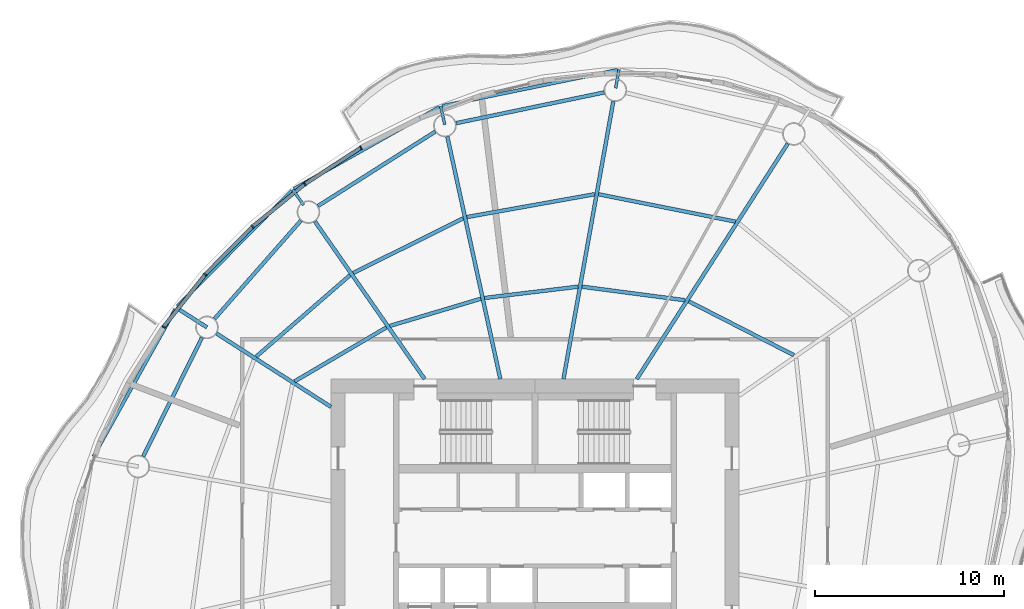
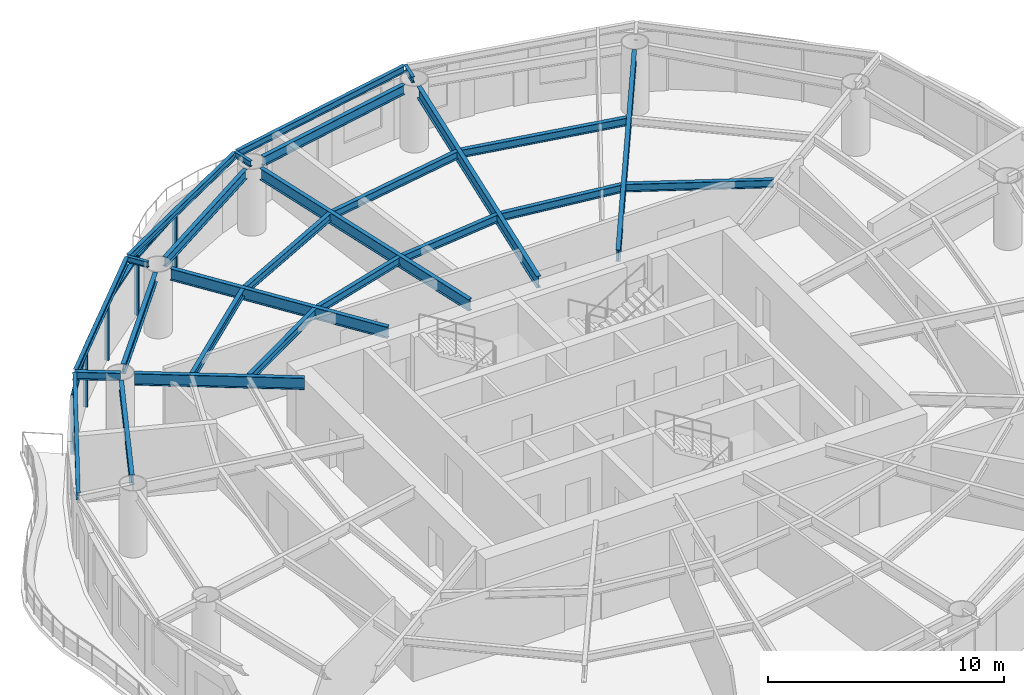
# One storey, part 5 of 14: 26 beams, 9 members, 4 elements without a shape of their own.
"""IFC4 building model written with IfcOpenShell, lengths in metres."""

from ifc_helpers import new_model, si_unit, direction, frame, origin, origin_2d, place, context, subcontext, project, spatial, rectangle, i_section, extrude, material, material_profile, profile_set, type_object, element, aggregate, save


model = new_model("IFC4")

# Units and contexts
model_context = context("Model", 3, precision=1e-05, world=origin(), true_north=direction((0.0, 1.0)))
body_context = subcontext(model_context, "Body", "Model", "MODEL_VIEW")
ifc_project = project(units=[si_unit("LENGTHUNIT", "METRE"), si_unit("AREAUNIT", "SQUARE_METRE"), si_unit("VOLUMEUNIT", "CUBIC_METRE"), si_unit("PLANEANGLEUNIT", "RADIAN"), si_unit("MASSUNIT", "GRAM", prefix="KILO")], contexts=[model_context])

# Site, building, storey
site_placement = place(None, origin())
site = spatial("IfcSite", under=ifc_project, at=site_placement, CompositionType="ELEMENT")
building_placement = place(site_placement, origin())
building = spatial("IfcBuilding", under=site, at=building_placement, Name="Vermilion Reach Broadcast Tower", CompositionType="ELEMENT")
storey_placement = place(building_placement, frame((0.0, 0.0, 202.89990234375)))
storey = spatial("IfcBuildingStorey", under=building, at=storey_placement, Name="L49", CompositionType="ELEMENT", Elevation=202.89990234375)

# Beams
ifc_material_1 = material(Name="Steel S355J2", Category="steel")
ifc_material_profile_1 = material_profile(ifc_material_1, i_section(OverallWidth=0.175048828125, OverallDepth=0.35009765625, WebThickness=0.007080078125, FlangeThickness=0.010986328125, at=origin_2d()), Name="S355J2 HN 350x175x7x11")
ifc_profile_set_1 = profile_set([ifc_material_profile_1], Name="Steel S355J2")
beam_type_1 = type_object("IfcBeamType", Name="EB4 HN 350x175x7x11", PredefinedType="BEAM", material=ifc_profile_set_1)
beam_1_placement = place(storey_placement, frame((-1.634521484375, 24.760498046875, 3.275146484375), z_axis=(-0.979502208701, -0.201433421134, 0.0), x_axis=(0.201433421134, -0.979502208701, 0.0)))
element("IfcBeam", 1, at=beam_1_placement, inside=storey, type_object=beam_type_1, Name="Edge beam EB4-02", PredefinedType="BEAM", context=body_context, shape_type="SweptSolid", body=[
    extrude(i_section(OverallWidth=0.175048828125, OverallDepth=0.35009765625, WebThickness=0.007080078125, FlangeThickness=0.010986328125, at=origin_2d()), origin(), (0.0, 0.0, 1.0), 9.47802734375),
])
beam_2_placement = place(storey_placement, frame((-11.06005859375, 22.7978515625, 3.275146484375), z_axis=(-0.871407912893, -0.490559119115, 0.0), x_axis=(0.490559119115, -0.871407912893, 0.0)))
element("IfcBeam", 2, at=beam_2_placement, inside=storey, type_object=beam_type_1, Name="Edge beam EB4-03", PredefinedType="BEAM", context=body_context, shape_type="SweptSolid", body=[
    extrude(i_section(OverallWidth=0.175048828125, OverallDepth=0.35009765625, WebThickness=0.007080078125, FlangeThickness=0.010986328125, at=origin_2d()), origin(), (0.0, 0.0, 1.0), 8.832275390625),
])
beam_3_placement = place(storey_placement, frame((-18.875732421875, 18.373779296875, 3.275146484375), z_axis=(-0.702580479624, -0.711604292884, 0.0), x_axis=(0.711604292884, -0.702580479624, 0.0)))
element("IfcBeam", 3, at=beam_3_placement, inside=storey, type_object=beam_type_1, Name="Edge beam EB4-04", PredefinedType="BEAM", context=body_context, shape_type="SweptSolid", body=[
    extrude(i_section(OverallWidth=0.175048828125, OverallDepth=0.35009765625, WebThickness=0.007080078125, FlangeThickness=0.010986328125, at=origin_2d()), origin(), (0.0, 0.0, 1.0), 8.603515625),
])
beam_4_placement = place(storey_placement, frame((-25.040771484375, 12.091064453125, 3.275146484375), z_axis=(-0.485691735512, -0.87413016082, 0.0), x_axis=(0.87413016082, -0.485691735512, 0.0)))
element("IfcBeam", 4, at=beam_4_placement, inside=storey, type_object=beam_type_1, Name="Edge beam EB4-05", PredefinedType="BEAM", context=body_context, shape_type="SweptSolid", body=[
    extrude(i_section(OverallWidth=0.175048828125, OverallDepth=0.35009765625, WebThickness=0.007080078125, FlangeThickness=0.010986328125, at=origin_2d()), origin(), (0.0, 0.0, 1.0), 8.919189453125),
])
ifc_material_2 = material(Name="Steel S355J2", Category="steel")
ifc_material_profile_2 = material_profile(ifc_material_2, i_section(OverallWidth=0.199951171875, OverallDepth=0.60009765625, WebThickness=0.010986328125, FlangeThickness=0.01708984375, at=origin_2d()), Name="S355J2 HN 600x200x11x17")
ifc_profile_set_2 = profile_set([ifc_material_profile_2], Name="Steel S355J2")
beam_type_2 = type_object("IfcBeamType", Name="G4 HN 600x200x11x17", PredefinedType="BEAM", material=ifc_profile_set_2)
beam_5_placement = place(storey_placement, frame((-0.613525390625, 8.39990234375, 3.150146484375), z_axis=(0.539796447586, 0.84179557802, 0.0), x_axis=(-0.84179557802, 0.539796447586, 0.0)))
element("IfcBeam", 5, at=beam_5_placement, inside=storey, type_object=beam_type_2, Name="Girder G4-01", PredefinedType="BEAM", context=body_context, shape_type="SweptSolid", body=[
    extrude(i_section(OverallWidth=0.199951171875, OverallDepth=0.60009765625, WebThickness=0.010986328125, FlangeThickness=0.01708984375, at=origin_2d()), origin(), (0.0, 0.0, 1.0), 14.8076171875),
])
beam_6_placement = place(storey_placement, frame((-4.4931640625, 8.39990234375, 3.150146484375), z_axis=(0.176574729047, 0.984287237072, 0.0), x_axis=(-0.984287237072, 0.176574729047, 0.0)))
element("IfcBeam", 6, at=beam_6_placement, inside=storey, type_object=beam_type_2, Name="Girder G4-02", PredefinedType="BEAM", context=body_context, shape_type="SweptSolid", body=[
    extrude(i_section(OverallWidth=0.199951171875, OverallDepth=0.60009765625, WebThickness=0.010986328125, FlangeThickness=0.01708984375, at=origin_2d()), origin(), (0.0, 0.0, 1.0), 14.935302734375),
])
beam_7_placement = place(storey_placement, frame((-7.836181640625, 8.39990234375, 3.150146484375), z_axis=(-0.213538346548, 0.976934682849, 0.0), x_axis=(-0.976934682849, -0.213538346548, 0.0)))
element("IfcBeam", 7, at=beam_7_placement, inside=storey, type_object=beam_type_2, Name="Girder G4-03", PredefinedType="BEAM", context=body_context, shape_type="SweptSolid", body=[
    extrude(i_section(OverallWidth=0.199951171875, OverallDepth=0.60009765625, WebThickness=0.010986328125, FlangeThickness=0.01708984375, at=origin_2d()), origin(), (0.0, 0.0, 1.0), 13.135498046875),
])
beam_8_placement = place(storey_placement, frame((-11.8447265625, 8.39990234375, 3.150146484375), z_axis=(-0.571134149017, 0.8208567377, 0.0), x_axis=(-0.8208567377, -0.571134149017, 0.0)))
element("IfcBeam", 8, at=beam_8_placement, inside=storey, type_object=beam_type_2, Name="Girder G4-04", PredefinedType="BEAM", context=body_context, shape_type="SweptSolid", body=[
    extrude(i_section(OverallWidth=0.199951171875, OverallDepth=0.60009765625, WebThickness=0.010986328125, FlangeThickness=0.01708984375, at=origin_2d()), origin(), (0.0, 0.0, 1.0), 10.16552734375),
])
beam_9_placement = place(storey_placement, frame((-16.800048828125, 6.925537109375, 3.150146484375), z_axis=(-0.841798504642, 0.539791883584, 0.0), x_axis=(-0.539791883584, -0.841798504642, 0.0)))
element("IfcBeam", 9, at=beam_9_placement, inside=storey, type_object=beam_type_2, Name="Girder G4-05", PredefinedType="BEAM", context=body_context, shape_type="SweptSolid", body=[
    extrude(i_section(OverallWidth=0.199951171875, OverallDepth=0.60009765625, WebThickness=0.010986328125, FlangeThickness=0.01708984375, at=origin_2d()), origin(), (0.0, 0.0, 1.0), 7.1962890625),
])
ifc_material_3 = material(Name="Steel S355J2", Category="steel")
ifc_material_profile_3 = material_profile(ifc_material_3, i_section(OverallWidth=0.199951171875, OverallDepth=0.39990234375, WebThickness=0.008056640625, FlangeThickness=0.012939453125, at=origin_2d()), Name="S355J2 HN 400x200x8x13")
ifc_profile_set_3 = profile_set([ifc_material_profile_3], Name="Steel S355J2")
beam_type_3 = type_object("IfcBeamType", Name="GC4 HN 400x200x8x13", PredefinedType="BEAM", material=ifc_profile_set_3)
beam_10_placement = place(storey_placement, frame((-23.36279296875, 11.134033203125, 3.25), z_axis=(-0.841833583484, 0.539737174667, 0.0), x_axis=(-0.539737174667, -0.841833583484, 0.0)))
element("IfcBeam", 10, at=beam_10_placement, inside=storey, type_object=beam_type_3, Name="Cantilever girder GC4-05", PredefinedType="BEAM", context=body_context, shape_type="SweptSolid", body=[
    extrude(i_section(OverallWidth=0.199951171875, OverallDepth=0.39990234375, WebThickness=0.008056640625, FlangeThickness=0.012939453125, at=origin_2d()), origin(), (0.0, 0.0, 1.0), 1.935546875),
])
ifc_material_4 = material(Name="Steel S355J2", Category="steel")
ifc_material_profile_4 = material_profile(ifc_material_4, i_section(OverallWidth=0.14990234375, OverallDepth=0.300048828125, WebThickness=0.006591796875, FlangeThickness=0.009033203125, at=origin_2d()), Name="S355J2 HN 300x150x6.5x9")
ifc_profile_set_4 = profile_set([ifc_material_profile_4], Name="Steel S355J2")
beam_type_4 = type_object("IfcBeamType", Name="GS4 HN 300x150x6.5x9", PredefinedType="BEAM", material=ifc_profile_set_4)
beam_11_placement = place(storey_placement, frame((-1.73193359375, 23.79248046875, 3.300048828125), z_axis=(0.176500327456, 0.984300581331, 0.0), x_axis=(-0.984300581331, 0.176500327456, 0.0)))
element("IfcBeam", 11, at=beam_11_placement, inside=storey, type_object=beam_type_4, Name="Cantilever stub GS4-02", PredefinedType="BEAM", context=body_context, shape_type="SweptSolid", body=[
    extrude(i_section(OverallWidth=0.14990234375, OverallDepth=0.300048828125, WebThickness=0.006591796875, FlangeThickness=0.009033203125, at=origin_2d()), origin(), (0.0, 0.0, 1.0), 1.0),
])
for number, where, z_axis, x_axis, name in (
    (12, (-10.778076171875, 21.859375, 3.300048828125), (-0.213594957215, 0.976922307173, 0.0), (-0.976922307173, -0.213594957215, 0.0), "Cantilever stub GS4-03"),
    (13, (-18.2509765625, 17.607177734375, 3.300048828125), (-0.571150302207, 0.820845498428, 0.0), (-0.820845498428, -0.571150302207, 0.0), "Cantilever stub GS4-04"),
):
    element("IfcBeam", number, at=place(storey_placement, frame(where, z_axis=z_axis, x_axis=x_axis)), inside=storey, type_object=beam_type_4, Name=name, PredefinedType="BEAM", context=body_context, shape_type="SweptSolid", body=[
        extrude(i_section(OverallWidth=0.14990234375, OverallDepth=0.300048828125, WebThickness=0.006591796875, FlangeThickness=0.009033203125, at=origin_2d()), origin(), (0.0, 0.0, 1.0), 1.000244140625),
    ])
ifc_material_5 = material(Name="Steel S355J2", Category="steel")
ifc_material_profile_5 = material_profile(ifc_material_5, i_section(OverallWidth=0.199951171875, OverallDepth=0.5, WebThickness=0.010009765625, FlangeThickness=0.01611328125, at=origin_2d()), Name="S355J2 HN 500x200x10x16")
ifc_profile_set_5 = profile_set([ifc_material_profile_5], Name="Steel S355J2")
beam_type_5 = type_object("IfcBeamType", Name="RB4 HN 500x200x10x16", PredefinedType="BEAM", material=ifc_profile_set_5)
beam_12_placement = place(storey_placement, frame((-2.337646484375, 23.569091796875, 3.2001953125), z_axis=(-0.97912342484, -0.203266620302, 0.0), x_axis=(0.203266620302, -0.97912342484, 0.0)))
element("IfcBeam", 14, at=beam_12_placement, inside=storey, type_object=beam_type_5, Name="Ring beam RB4-02", PredefinedType="BEAM", context=body_context, shape_type="SweptSolid", body=[
    extrude(i_section(OverallWidth=0.199951171875, OverallDepth=0.5, WebThickness=0.010009765625, FlangeThickness=0.01611328125, at=origin_2d()), origin(), (0.0, 0.0, 1.0), 8.01123046875),
])
beam_13_placement = place(storey_placement, frame((-11.27587890625, 21.497314453125, 3.2001953125), z_axis=(-0.84446426774, -0.535611893549, 0.0), x_axis=(0.535611893549, -0.84446426774, 0.0)))
element("IfcBeam", 15, at=beam_13_placement, inside=storey, type_object=beam_type_5, Name="Ring beam RB4-03", PredefinedType="BEAM", context=body_context, shape_type="SweptSolid", body=[
    extrude(i_section(OverallWidth=0.199951171875, OverallDepth=0.5, WebThickness=0.010009765625, FlangeThickness=0.01611328125, at=origin_2d()), origin(), (0.0, 0.0, 1.0), 7.3544921875),
])
beam_14_placement = place(storey_placement, frame((-18.3896484375, 16.786376953125, 3.2001953125), z_axis=(-0.660565141761, -0.750768735024, 0.0), x_axis=(0.750768735024, -0.660565141761, 0.0)))
element("IfcBeam", 16, at=beam_14_placement, inside=storey, type_object=beam_type_5, Name="Ring beam RB4-04", PredefinedType="BEAM", context=body_context, shape_type="SweptSolid", body=[
    extrude(i_section(OverallWidth=0.199951171875, OverallDepth=0.5, WebThickness=0.010009765625, FlangeThickness=0.01611328125, at=origin_2d()), origin(), (0.0, 0.0, 1.0), 6.9287109375),
])
beam_15_placement = place(storey_placement, frame((-23.628662109375, 10.595947265625, 3.2001953125), z_axis=(-0.442977497199, -0.896532730566, 0.0), x_axis=(0.896532730566, -0.442977497199, 0.0)))
element("IfcBeam", 17, at=beam_15_placement, inside=storey, type_object=beam_type_5, Name="Ring beam RB4-05", PredefinedType="BEAM", context=body_context, shape_type="SweptSolid", body=[
    extrude(i_section(OverallWidth=0.199951171875, OverallDepth=0.5, WebThickness=0.010009765625, FlangeThickness=0.01611328125, at=origin_2d()), origin(), (0.0, 0.0, 1.0), 7.0166015625),
])
ifc_material_6 = material(Name="Steel S355J2", Category="steel")
ifc_material_profile_6 = material_profile(ifc_material_6, i_section(OverallWidth=0.199951171875, OverallDepth=0.39990234375, WebThickness=0.008056640625, FlangeThickness=0.012939453125, at=origin_2d()), Name="S355J2 HN 400x200x8x13")
ifc_profile_set_6 = profile_set([ifc_material_profile_6], Name="Steel S355J2")
beam_type_6 = type_object("IfcBeamType", Name="SB4 HN 400x200x8x13", PredefinedType="BEAM", material=ifc_profile_set_6)
beam_16_placement = place(storey_placement, frame((1.94140625, 12.5693359375, 3.25), z_axis=(-0.991458070019, 0.130425823341, 0.0), x_axis=(-0.130425823341, -0.991458070019, 0.0)))
element("IfcBeam", 18, at=beam_16_placement, inside=storey, type_object=beam_type_6, Name="Secondary beam SB4-01-1", PredefinedType="BEAM", context=body_context, shape_type="SweptSolid", body=[
    extrude(i_section(OverallWidth=0.199951171875, OverallDepth=0.39990234375, WebThickness=0.008056640625, FlangeThickness=0.012939453125, at=origin_2d()), origin(), (0.0, 0.0, 1.0), 5.50341796875),
])
beam_17_placement = place(storey_placement, frame((4.60986328125, 16.73095703125, 3.25), z_axis=(-0.9805717807, 0.196160604851, 0.0), x_axis=(-0.196160604851, -0.9805717807, 0.0)))
element("IfcBeam", 19, at=beam_17_placement, inside=storey, type_object=beam_type_6, Name="Secondary beam SB4-01-2", PredefinedType="BEAM", context=body_context, shape_type="SweptSolid", body=[
    extrude(i_section(OverallWidth=0.199951171875, OverallDepth=0.39990234375, WebThickness=0.008056640625, FlangeThickness=0.012939453125, at=origin_2d()), origin(), (0.0, 0.0, 1.0), 7.390380859375),
])
beam_18_placement = place(storey_placement, frame((-3.718017578125, 13.28759765625, 3.25), z_axis=(-0.99278788328, -0.119884189168, 0.0), x_axis=(0.119884189168, -0.99278788328, 0.0)))
element("IfcBeam", 20, at=beam_18_placement, inside=storey, type_object=beam_type_6, Name="Secondary beam SB4-02-1", PredefinedType="BEAM", context=body_context, shape_type="SweptSolid", body=[
    extrude(i_section(OverallWidth=0.199951171875, OverallDepth=0.39990234375, WebThickness=0.008056640625, FlangeThickness=0.012939453125, at=origin_2d()), origin(), (0.0, 0.0, 1.0), 4.9892578125),
])
beam_19_placement = place(storey_placement, frame((-2.840087890625, 18.181640625, 3.25), z_axis=(-0.984415281892, -0.175859468829, 0.0), x_axis=(0.175859468829, -0.984415281892, 0.0)))
element("IfcBeam", 21, at=beam_19_placement, inside=storey, type_object=beam_type_6, Name="Secondary beam SB4-02-2", PredefinedType="BEAM", context=body_context, shape_type="SweptSolid", body=[
    extrude(i_section(OverallWidth=0.199951171875, OverallDepth=0.39990234375, WebThickness=0.008056640625, FlangeThickness=0.012939453125, at=origin_2d()), origin(), (0.0, 0.0, 1.0), 6.874755859375),
])
beam_20_placement = place(storey_placement, frame((-8.8671875, 12.64892578125, 3.25), z_axis=(-0.958173460215, -0.28618808525, 0.0), x_axis=(0.28618808525, -0.958173460215, 0.0)))
element("IfcBeam", 22, at=beam_20_placement, inside=storey, type_object=beam_type_6, Name="Secondary beam SB4-03-1", PredefinedType="BEAM", context=body_context, shape_type="SweptSolid", body=[
    extrude(i_section(OverallWidth=0.199951171875, OverallDepth=0.39990234375, WebThickness=0.008056640625, FlangeThickness=0.012939453125, at=origin_2d()), origin(), (0.0, 0.0, 1.0), 5.02197265625),
])
beam_21_placement = place(storey_placement, frame((-9.79833984375, 16.908935546875, 3.25), z_axis=(-0.895183615542, -0.445697536974, 0.0), x_axis=(0.445697536974, -0.895183615542, 0.0)))
element("IfcBeam", 23, at=beam_21_placement, inside=storey, type_object=beam_type_6, Name="Secondary beam SB4-03-2", PredefinedType="BEAM", context=body_context, shape_type="SweptSolid", body=[
    extrude(i_section(OverallWidth=0.199951171875, OverallDepth=0.39990234375, WebThickness=0.008056640625, FlangeThickness=0.012939453125, at=origin_2d()), origin(), (0.0, 0.0, 1.0), 6.508544921875),
])
beam_22_placement = place(storey_placement, frame((-13.866455078125, 11.130615234375, 3.25), z_axis=(-0.862172572268, -0.506614701356, 0.0), x_axis=(0.506614701356, -0.862172572268, 0.0)))
element("IfcBeam", 24, at=beam_22_placement, inside=storey, type_object=beam_type_6, Name="Secondary beam SB4-04-1", PredefinedType="BEAM", context=body_context, shape_type="SweptSolid", body=[
    extrude(i_section(OverallWidth=0.199951171875, OverallDepth=0.39990234375, WebThickness=0.008056640625, FlangeThickness=0.012939453125, at=origin_2d()), origin(), (0.0, 0.0, 1.0), 5.632568359375),
])
beam_23_placement = place(storey_placement, frame((-15.791259765625, 13.89697265625, 3.25), z_axis=(-0.755129308567, -0.655575874589, 0.0), x_axis=(0.655575874589, -0.755129308567, 0.0)))
element("IfcBeam", 25, at=beam_23_placement, inside=storey, type_object=beam_type_6, Name="Secondary beam SB4-04-2", PredefinedType="BEAM", context=body_context, shape_type="SweptSolid", body=[
    extrude(i_section(OverallWidth=0.199951171875, OverallDepth=0.39990234375, WebThickness=0.008056640625, FlangeThickness=0.012939453125, at=origin_2d()), origin(), (0.0, 0.0, 1.0), 6.57958984375),
])
beam_24_placement = place(storey_placement, frame((7.707763671875, 9.659423828125, 3.25), z_axis=(-0.89015575218, 0.455656380249, 0.0), x_axis=(-0.455656380249, -0.89015575218, 0.0)))
element("IfcBeam", 26, at=beam_24_placement, inside=storey, type_object=beam_type_6, Name="Secondary beam SB4-16-1", PredefinedType="BEAM", context=body_context, shape_type="SweptSolid", body=[
    extrude(i_section(OverallWidth=0.199951171875, OverallDepth=0.39990234375, WebThickness=0.008056640625, FlangeThickness=0.012939453125, at=origin_2d()), origin(), (0.0, 0.0, 1.0), 6.25439453125),
])

# Curtain wall, member
ifc_material_7 = material(Name="Low-e laminated clear glass in aluminium frame", Category="aluminium")
curtain_wall_type = type_object("IfcCurtainWallType", Name="Slot curtain wall", PredefinedType="NOTDEFINED", material=ifc_material_7)
placement = place(storey_placement, origin())
curtain_wall_1 = element("IfcCurtainWall", 27, at=placement, inside=storey, type_object=curtain_wall_type, Name="Slot curtain wall L49 10", PredefinedType="NOTDEFINED")
ifc_material_8 = material(Name="Anodised aluminium", Category="aluminium")
ifc_material_profile_7 = material_profile(ifc_material_8, rectangle(XDim=0.199951171875, YDim=0.080078125, at=origin_2d()), Name="Slot mullion 80 x 200")
ifc_profile_set_7 = profile_set([ifc_material_profile_7], Name="Anodised aluminium")
member_type_1 = type_object("IfcMemberType", Name="Slot mullion 80 x 200", PredefinedType="MULLION", material=ifc_profile_set_7)
member_1_placement = place(storey_placement, frame((-15.21533203125, 20.642822265625, 0.0), z_axis=(0.0, 0.0, 1.0), x_axis=(0.497564622202, -0.867426911465, 0.0)))
member_1 = element("IfcMember", 28, at=member_1_placement, type_object=member_type_1, Name="Slot mullion L49 10", PredefinedType="MULLION", context=body_context, shape_type="SweptSolid", body=[
    extrude(rectangle(XDim=0.199951171875, YDim=0.080078125, at=origin_2d()), origin(), (0.0, 0.0, 1.0), 3.050048828125),
])

curtain_wall_2 = element("IfcCurtainWall", 29, at=placement, inside=storey, type_object=curtain_wall_type, Name="Slot curtain wall L49 11", PredefinedType="NOTDEFINED")
member_2_placement = place(storey_placement, frame((-18.18701171875, 18.714111328125, 0.0), z_axis=(0.0, 0.0, 1.0), x_axis=(0.588830639334, -0.808256443328, 0.0)))
member_2 = element("IfcMember", 30, at=member_2_placement, type_object=member_type_1, Name="Slot mullion L49 11", PredefinedType="MULLION", context=body_context, shape_type="SweptSolid", body=[
    extrude(rectangle(XDim=0.199951171875, YDim=0.080078125, at=origin_2d()), origin(), (0.0, 0.0, 1.0), 3.050048828125),
])

curtain_wall_3 = element("IfcCurtainWall", 31, at=placement, inside=storey, type_object=curtain_wall_type, Name="Slot curtain wall L49 12", PredefinedType="NOTDEFINED")
member_3_placement = place(storey_placement, frame((-20.949462890625, 16.4638671875, 0.0), z_axis=(0.0, 0.0, 1.0), x_axis=(0.672237540502, -0.740335524705, 0.0)))
member_3 = element("IfcMember", 32, at=member_3_placement, type_object=member_type_1, Name="Slot mullion L49 12", PredefinedType="MULLION", context=body_context, shape_type="SweptSolid", body=[
    extrude(rectangle(XDim=0.199951171875, YDim=0.080078125, at=origin_2d()), origin(), (0.0, 0.0, 1.0), 3.050048828125),
])

# Curtain wall, members
curtain_wall_4 = element("IfcCurtainWall", 33, at=placement, inside=storey, type_object=curtain_wall_type, Name="Slot curtain wall L49 13", PredefinedType="NOTDEFINED")
member_4_placement = place(storey_placement, frame((-23.455078125, 13.9306640625, 0.0), z_axis=(0.0, 0.0, 1.0), x_axis=(0.747866767574, -0.663848851742, 0.0)))
member_4 = element("IfcMember", 34, at=member_4_placement, type_object=member_type_1, Name="Slot mullion L49 13", PredefinedType="MULLION", context=body_context, shape_type="SweptSolid", body=[
    extrude(rectangle(XDim=0.199951171875, YDim=0.080078125, at=origin_2d()), origin(), (0.0, 0.0, 1.0), 3.050048828125),
])
member_5_placement = place(storey_placement, frame((-25.66064453125, 11.158203125, 0.0), z_axis=(0.0, 0.0, 1.0), x_axis=(0.815542088164, -0.578697764324, 0.0)))
member_5 = element("IfcMember", 35, at=member_5_placement, type_object=member_type_1, Name="Slot mullion L49 14", PredefinedType="MULLION", context=body_context, shape_type="SweptSolid", body=[
    extrude(rectangle(XDim=0.199951171875, YDim=0.080078125, at=origin_2d()), origin(), (0.0, 0.0, 1.0), 3.050048828125),
])

# Member
ifc_material_9 = material(Name="Anodised aluminium", Category="aluminium")
ifc_material_profile_8 = material_profile(ifc_material_9, rectangle(XDim=0.199951171875, YDim=0.10009765625, at=origin_2d()), Name="Slot transom 200 x 100")
ifc_profile_set_8 = profile_set([ifc_material_profile_8], Name="Anodised aluminium")
member_type_2 = type_object("IfcMemberType", Name="Slot transom 200 x 100", PredefinedType="USERDEFINED", material=ifc_profile_set_8)
member_6_placement = place(storey_placement, frame((-15.2490234375, 20.620849609375, 3.0), z_axis=(-0.838863827656, -0.544341325503, 0.0), x_axis=(0.544341325503, -0.838863827656, 0.0)))
member_6 = element("IfcMember", 36, at=member_6_placement, type_object=member_type_2, Name="Slot transom L49 10.1", ObjectType="TRANSOM", PredefinedType="USERDEFINED", context=body_context, shape_type="SweptSolid", body=[
    extrude(rectangle(XDim=0.199951171875, YDim=0.10009765625, at=origin_2d()), origin(), (0.0, 0.0, 1.0), 3.46240234375),
])

aggregate(curtain_wall_1, [member_1, member_6])

member_7_placement = place(storey_placement, frame((-18.218017578125, 18.68896484375, 3.0), z_axis=(-0.775326511837, -0.631560606785, 0.0), x_axis=(0.631560606785, -0.775326511837, 0.0)))
member_7 = element("IfcMember", 37, at=member_7_placement, type_object=member_type_2, Name="Slot transom L49 11.1", ObjectType="TRANSOM", PredefinedType="USERDEFINED", context=body_context, shape_type="SweptSolid", body=[
    extrude(rectangle(XDim=0.199951171875, YDim=0.10009765625, at=origin_2d()), origin(), (0.0, 0.0, 1.0), 3.48291015625),
])

aggregate(curtain_wall_2, [member_2, member_7])

member_8_placement = place(storey_placement, frame((-20.9775390625, 16.435546875, 3.0), z_axis=(-0.70324116763, -0.710951376784, 0.0), x_axis=(0.710951376784, -0.70324116763, 0.0)))
member_8 = element("IfcMember", 38, at=member_8_placement, type_object=member_type_2, Name="Slot transom L49 12.1", ObjectType="TRANSOM", PredefinedType="USERDEFINED", context=body_context, shape_type="SweptSolid", body=[
    extrude(rectangle(XDim=0.199951171875, YDim=0.10009765625, at=origin_2d()), origin(), (0.0, 0.0, 1.0), 3.483154296875),
])

aggregate(curtain_wall_3, [member_3, member_8])

member_9_placement = place(storey_placement, frame((-23.47998046875, 13.8994140625, 3.0), z_axis=(-0.62257754319, -0.782558114593, 0.0), x_axis=(0.782558114593, -0.62257754319, 0.0)))
member_9 = element("IfcMember", 39, at=member_9_placement, type_object=member_type_2, Name="Slot transom L49 13.1", ObjectType="TRANSOM", PredefinedType="USERDEFINED", context=body_context, shape_type="SweptSolid", body=[
    extrude(rectangle(XDim=0.199951171875, YDim=0.10009765625, at=origin_2d()), origin(), (0.0, 0.0, 1.0), 3.462646484375),
])

aggregate(curtain_wall_4, [member_4, member_5, member_9])

save(model, "model.ifc")
